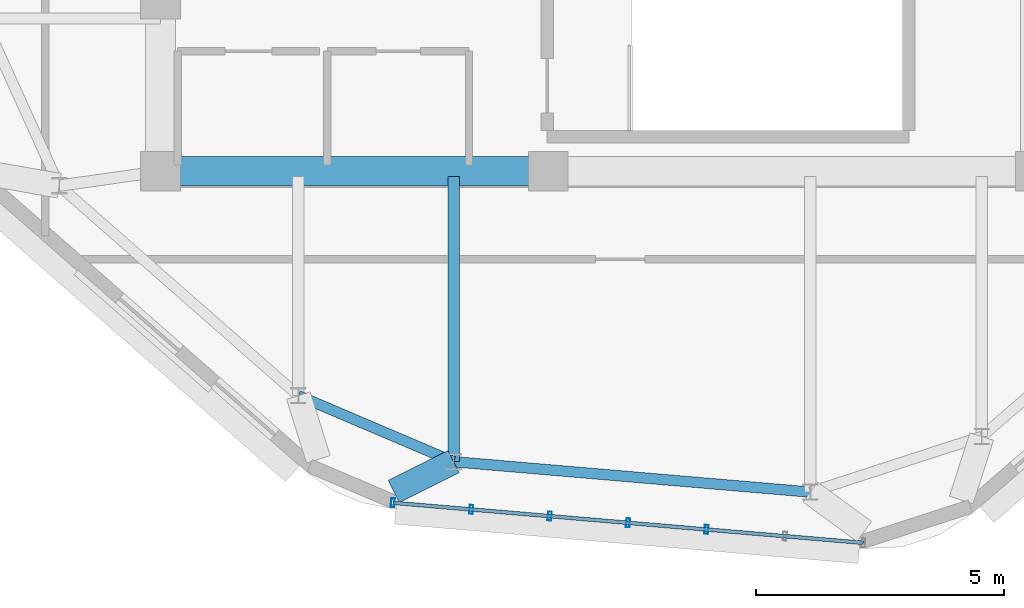
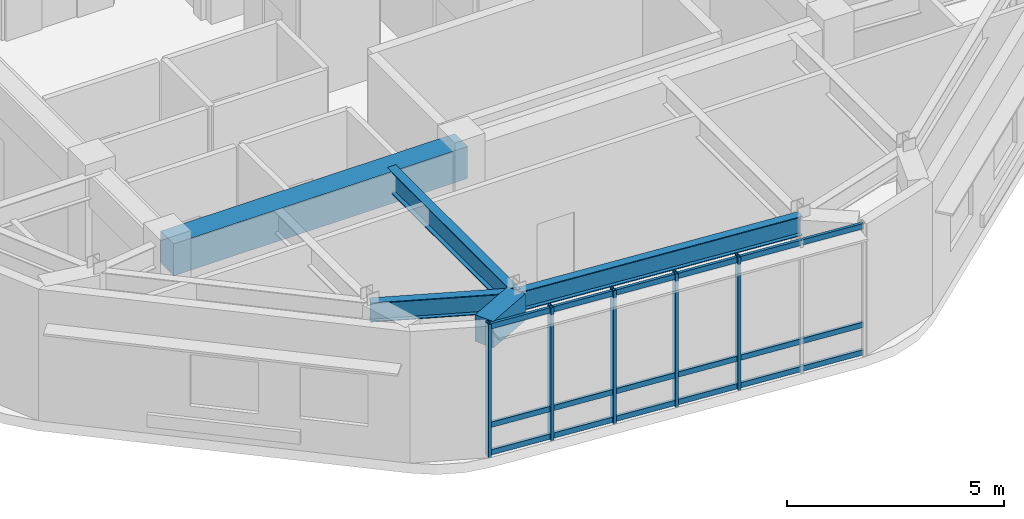
# One storey, part 2 of 13: 8 members, 5 beams, 1 element without a shape of its own.
"""IFC4 building model written with IfcOpenShell, lengths in metres."""

from ifc_helpers import new_model, si_unit, direction, frame, origin, origin_2d, place, context, subcontext, project, spatial, rectangle, hollow_rectangle, i_section, extrude, material, material_profile, profile_set, type_object, element, aggregate, save


model = new_model("IFC4")

# Units and contexts
model_context = context("Model", 3, precision=1e-05, world=origin(), true_north=direction((0.0, 1.0)))
body_context = subcontext(model_context, "Body", "Model", "MODEL_VIEW")
ifc_project = project(units=[si_unit("LENGTHUNIT", "METRE"), si_unit("AREAUNIT", "SQUARE_METRE"), si_unit("VOLUMEUNIT", "CUBIC_METRE"), si_unit("PLANEANGLEUNIT", "RADIAN"), si_unit("MASSUNIT", "GRAM", prefix="KILO")], contexts=[model_context])

# Site, building, storey
site_placement = place(None, origin())
site = spatial("IfcSite", under=ifc_project, at=site_placement, CompositionType="ELEMENT")
building_placement = place(site_placement, origin())
building = spatial("IfcBuilding", under=site, at=building_placement, Name="Zulverin Broadcast Headquarters", CompositionType="ELEMENT")
storey_placement = place(building_placement, frame((0.0, 0.0, 333.39990234375)))
storey = spatial("IfcBuildingStorey", under=building, at=storey_placement, Name="C6", CompositionType="ELEMENT", Elevation=333.39990234375)

# Beams
ifc_material_1 = material(Name="Concrete C60/75", Category="concrete")
ifc_material_profile_1 = material_profile(ifc_material_1, rectangle(XDim=0.60009765625, YDim=0.89990234375, at=origin_2d()), Name="Concrete C60/75", Category="concrete")
ifc_profile_set_1 = profile_set([ifc_material_profile_1], Name="Concrete C60/75")
beam_type_1 = type_object("IfcBeamType", Name="BM-CB-600x900", PredefinedType="LINTEL", material=ifc_profile_set_1)
beam_1_placement = place(storey_placement, frame((30.625, 17.324951171875, 3.25), z_axis=(1.0, 0.0, 0.0), x_axis=(0.0, 1.0, 0.0)))
element("IfcBeam", 1, at=beam_1_placement, inside=storey, type_object=beam_type_1, Name="C6 Core Coupling Girder K01-K02", PredefinedType="LINTEL", context=body_context, shape_type="SweptSolid", body=[
    extrude(rectangle(XDim=0.60009765625, YDim=0.89990234375, at=origin_2d()), origin(), (0.0, 0.0, 1.0), 7.824951171875),
])
ifc_material_2 = material(Name="Concrete C40/50", Category="concrete")
ifc_material_profile_2 = material_profile(ifc_material_2, rectangle(XDim=0.5, YDim=0.75, at=origin_2d()), Name="Concrete C40/50", Category="concrete")
ifc_profile_set_2 = profile_set([ifc_material_profile_2], Name="Concrete C40/50")
beam_type_2 = type_object("IfcBeamType", Name="BM-RC-500x750", PredefinedType="BEAM", material=ifc_profile_set_2)
beam_2_placement = place(storey_placement, frame((36.53759765625, 11.46484375, 3.3251953125), z_axis=(-0.895259784414, -0.445544519, 0.0), x_axis=(0.445544519, -0.895259784414, 0.0)))
element("IfcBeam", 2, at=beam_2_placement, inside=storey, type_object=beam_type_2, Name="RF Plate Overhang Back-Spanned Beam OVR-01", PredefinedType="BEAM", context=body_context, shape_type="SweptSolid", body=[
    extrude(rectangle(XDim=0.5, YDim=0.75, at=origin_2d()), origin(), (0.0, 0.0, 1.0), 1.346435546875),
])
ifc_material_3 = material(Name="Structural steel S355JR", Category="steel")
ifc_material_profile_3 = material_profile(ifc_material_3, i_section(OverallWidth=0.2119140625, OverallDepth=0.54443359375, WebThickness=0.0126953125, FlangeThickness=0.021240234375, at=origin_2d()), Name="Structural steel S355JR", Category="steel")
ifc_profile_set_3 = profile_set([ifc_material_profile_3], Name="Structural steel S355JR")
beam_type_3 = type_object("IfcBeamType", Name="BM-UB-533", PredefinedType="SPANDREL", material=ifc_profile_set_3)
beam_3_placement = place(storey_placement, frame((36.53759765625, 11.46484375, 3.427978515625), z_axis=(0.99639077732, -0.084884738742, 0.0), x_axis=(0.084884738742, 0.99639077732, 0.0)))
element("IfcBeam", 3, at=beam_3_placement, inside=storey, type_object=beam_type_3, Name="C6 Perimeter Spandrel Beam SP-01", PredefinedType="SPANDREL", context=body_context, shape_type="SweptSolid", body=[
    extrude(i_section(OverallWidth=0.2119140625, OverallDepth=0.54443359375, WebThickness=0.0126953125, FlangeThickness=0.021240234375, at=origin_2d()), origin(), (0.0, 0.0, 1.0), 7.227783203125),
])
beam_4_placement = place(storey_placement, frame((33.40673828125, 12.798095703125, 3.427978515625), z_axis=(0.920051758156, -0.391796838061, 0.0), x_axis=(0.391796838061, 0.920051758156, 0.0)))
element("IfcBeam", 4, at=beam_4_placement, inside=storey, type_object=beam_type_3, Name="C6 Perimeter Spandrel Beam SP-16", PredefinedType="SPANDREL", context=body_context, shape_type="SweptSolid", body=[
    extrude(i_section(OverallWidth=0.2119140625, OverallDepth=0.54443359375, WebThickness=0.0126953125, FlangeThickness=0.021240234375, at=origin_2d()), origin(), (0.0, 0.0, 1.0), 3.40283203125),
])
ifc_material_profile_4 = material_profile(ifc_material_3, i_section(OverallWidth=0.230224609375, OverallDepth=0.6171875, WebThickness=0.01318359375, FlangeThickness=0.022216796875, at=origin_2d()), Name="Structural steel S355JR", Category="steel")
ifc_profile_set_4 = profile_set([ifc_material_profile_4], Name="Structural steel S355JR")
beam_type_4 = type_object("IfcBeamType", Name="BM-UB-610", PredefinedType="BEAM", material=ifc_profile_set_4)
beam_5_placement = place(storey_placement, frame((36.53759765625, 17.22509765625, 3.3916015625), z_axis=(0.0, -1.0, 0.0), x_axis=(1.0, 0.0, 0.0)))
element("IfcBeam", 5, at=beam_5_placement, inside=storey, type_object=beam_type_4, Name="C6 Radial Primary Floor Beam RB-01", PredefinedType="BEAM", context=body_context, shape_type="SweptSolid", body=[
    extrude(i_section(OverallWidth=0.230224609375, OverallDepth=0.6171875, WebThickness=0.01318359375, FlangeThickness=0.022216796875, at=origin_2d()), origin(), (0.0, 0.0, 1.0), 5.76025390625),
])

# Curtain wall, members
ifc_material_4 = material(Name="Crown damper-hall structural glass curtain wall", Category="glass")
curtain_wall_type = type_object("IfcCurtainWallType", Name="CW-CRN", PredefinedType="USERDEFINED", material=ifc_material_4)
curtain_wall_placement = place(storey_placement, origin())
curtain_wall = element("IfcCurtainWall", 6, at=curtain_wall_placement, inside=storey, type_object=curtain_wall_type, Name="C6 Unitised Curtain Wall CW-C6-E1", ObjectType="UNITISED CURTAIN WALL", PredefinedType="USERDEFINED")
ifc_material_5 = material(Name="Anodized pale-metal aluminium alloy 6063-T6", Category="aluminium")
ifc_material_profile_5 = material_profile(ifc_material_5, hollow_rectangle(XDim=0.074951171875, YDim=0.179931640625, WallThickness=0.0048828125, at=origin_2d()), Name="Anodized pale-metal aluminium alloy 6063-T6", Category="aluminium")
ifc_profile_set_5 = profile_set([ifc_material_profile_5], Name="Anodized pale-metal aluminium alloy 6063-T6")
member_type_1 = type_object("IfcMemberType", Name="CW-MUL-180", PredefinedType="MULLION", material=ifc_profile_set_5)
member_1_placement = place(storey_placement, frame((35.312744140625, 10.635986328125, -0.02978515625), z_axis=(0.0, 0.0, 1.0), x_axis=(0.996389439284, -0.084900443359, 0.0)))
member_1 = element("IfcMember", 7, at=member_1_placement, type_object=member_type_1, Name="CW-C6-E1 Mullion 00", PredefinedType="MULLION", context=body_context, shape_type="SweptSolid", body=[
    extrude(hollow_rectangle(XDim=0.074951171875, YDim=0.179931640625, WallThickness=0.0048828125, at=origin_2d()), origin(), (0.0, 0.0, 1.0), 3.759765625),
])
member_2_placement = place(storey_placement, frame((36.89501953125, 10.501220703125, -0.02978515625), z_axis=(0.0, 0.0, 1.0), x_axis=(0.996389439284, -0.084900443359, 0.0)))
member_2 = element("IfcMember", 8, at=member_2_placement, type_object=member_type_1, Name="CW-C6-E1 Mullion 01", PredefinedType="MULLION", context=body_context, shape_type="SweptSolid", body=[
    extrude(hollow_rectangle(XDim=0.074951171875, YDim=0.179931640625, WallThickness=0.0048828125, at=origin_2d()), origin(), (0.0, 0.0, 1.0), 3.759765625),
])
member_3_placement = place(storey_placement, frame((38.477294921875, 10.3662109375, -0.02978515625), z_axis=(0.0, 0.0, 1.0), x_axis=(0.996389439284, -0.084900443359, 0.0)))
member_3 = element("IfcMember", 9, at=member_3_placement, type_object=member_type_1, Name="CW-C6-E1 Mullion 02", PredefinedType="MULLION", context=body_context, shape_type="SweptSolid", body=[
    extrude(hollow_rectangle(XDim=0.074951171875, YDim=0.179931640625, WallThickness=0.0048828125, at=origin_2d()), origin(), (0.0, 0.0, 1.0), 3.759765625),
])
member_4_placement = place(storey_placement, frame((40.059326171875, 10.2314453125, -0.02978515625), z_axis=(0.0, 0.0, 1.0), x_axis=(0.996389439284, -0.084900443359, 0.0)))
member_4 = element("IfcMember", 10, at=member_4_placement, type_object=member_type_1, Name="CW-C6-E1 Mullion 03", PredefinedType="MULLION", context=body_context, shape_type="SweptSolid", body=[
    extrude(hollow_rectangle(XDim=0.074951171875, YDim=0.179931640625, WallThickness=0.0048828125, at=origin_2d()), origin(), (0.0, 0.0, 1.0), 3.759765625),
])
member_5_placement = place(storey_placement, frame((41.6416015625, 10.0966796875, -0.02978515625), z_axis=(0.0, 0.0, 1.0), x_axis=(0.996389439284, -0.084900443359, 0.0)))
member_5 = element("IfcMember", 11, at=member_5_placement, type_object=member_type_1, Name="CW-C6-E1 Mullion 04", PredefinedType="MULLION", context=body_context, shape_type="SweptSolid", body=[
    extrude(hollow_rectangle(XDim=0.074951171875, YDim=0.179931640625, WallThickness=0.0048828125, at=origin_2d()), origin(), (0.0, 0.0, 1.0), 3.759765625),
])
ifc_material_profile_6 = material_profile(ifc_material_5, hollow_rectangle(XDim=0.074951171875, YDim=0.14990234375, WallThickness=0.0048828125, at=origin_2d()), Name="Anodized pale-metal aluminium alloy 6063-T6", Category="aluminium")
ifc_profile_set_6 = profile_set([ifc_material_profile_6], Name="Anodized pale-metal aluminium alloy 6063-T6")
member_type_2 = type_object("IfcMemberType", Name="CW-TRN-150", PredefinedType="USERDEFINED", material=ifc_profile_set_6)
member_6_placement = place(storey_placement, frame((35.312744140625, 10.635986328125, 0.0751953125), z_axis=(0.996387957927, -0.084917826735, 0.0), x_axis=(0.084917826735, 0.996387957927, 0.0)))
member_6 = element("IfcMember", 12, at=member_6_placement, type_object=member_type_2, Name="CW-C6-E1 Transom 0", ObjectType="TRANSOM", PredefinedType="USERDEFINED", context=body_context, shape_type="SweptSolid", body=[
    extrude(hollow_rectangle(XDim=0.074951171875, YDim=0.14990234375, WallThickness=0.0048828125, at=origin_2d()), origin(), (0.0, 0.0, 1.0), 9.52783203125),
])
member_7_placement = place(storey_placement, frame((35.312744140625, 10.635986328125, 0.85009765625), z_axis=(0.996387957927, -0.084917826735, 0.0), x_axis=(0.084917826735, 0.996387957927, 0.0)))
member_7 = element("IfcMember", 13, at=member_7_placement, type_object=member_type_2, Name="CW-C6-E1 Transom 1", ObjectType="TRANSOM", PredefinedType="USERDEFINED", context=body_context, shape_type="SweptSolid", body=[
    extrude(hollow_rectangle(XDim=0.074951171875, YDim=0.14990234375, WallThickness=0.0048828125, at=origin_2d()), origin(), (0.0, 0.0, 1.0), 9.52783203125),
])
member_8_placement = place(storey_placement, frame((35.312744140625, 10.635986328125, 3.625), z_axis=(0.996387957927, -0.084917826735, 0.0), x_axis=(0.084917826735, 0.996387957927, 0.0)))
member_8 = element("IfcMember", 14, at=member_8_placement, type_object=member_type_2, Name="CW-C6-E1 Transom 2", ObjectType="TRANSOM", PredefinedType="USERDEFINED", context=body_context, shape_type="SweptSolid", body=[
    extrude(hollow_rectangle(XDim=0.074951171875, YDim=0.14990234375, WallThickness=0.0048828125, at=origin_2d()), origin(), (0.0, 0.0, 1.0), 9.52783203125),
])
aggregate(curtain_wall, [member_1, member_2, member_3, member_4, member_5, member_6, member_7, member_8])

save(model, "model.ifc")
